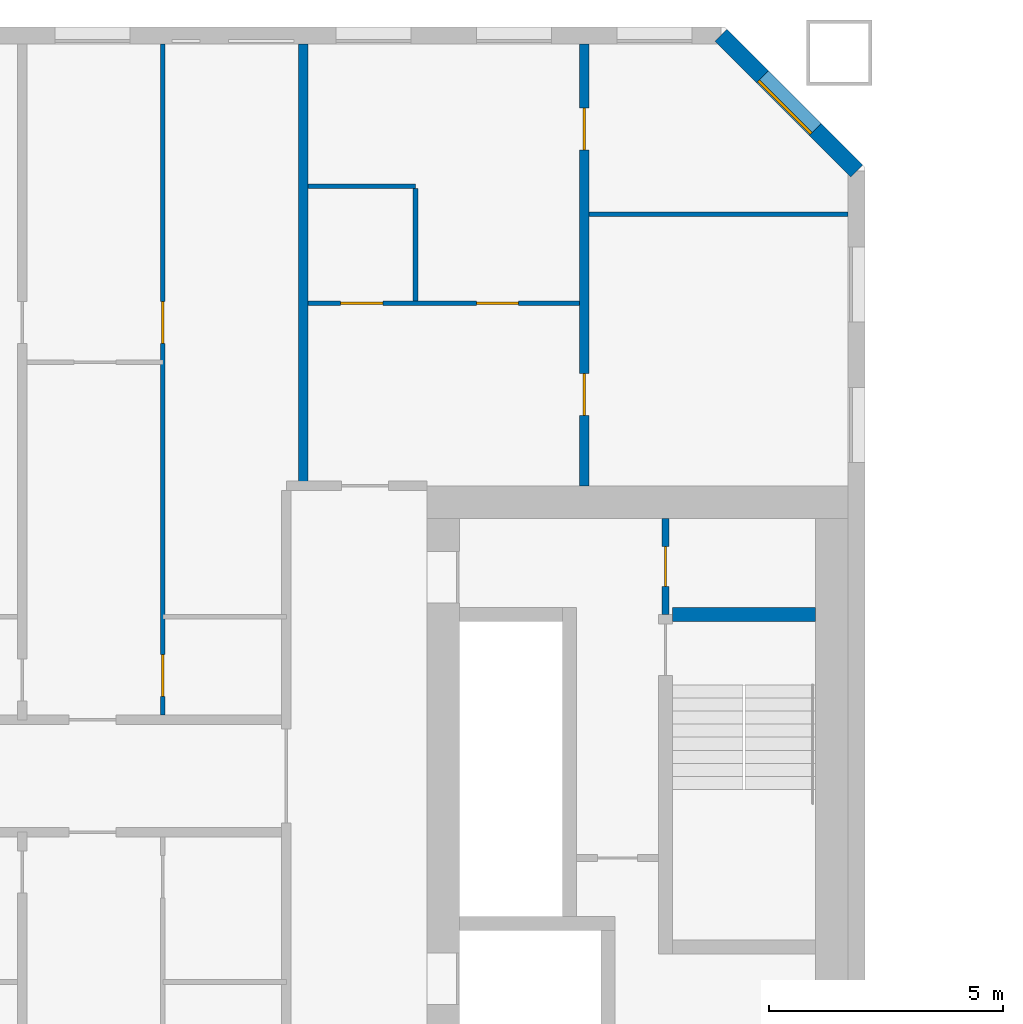
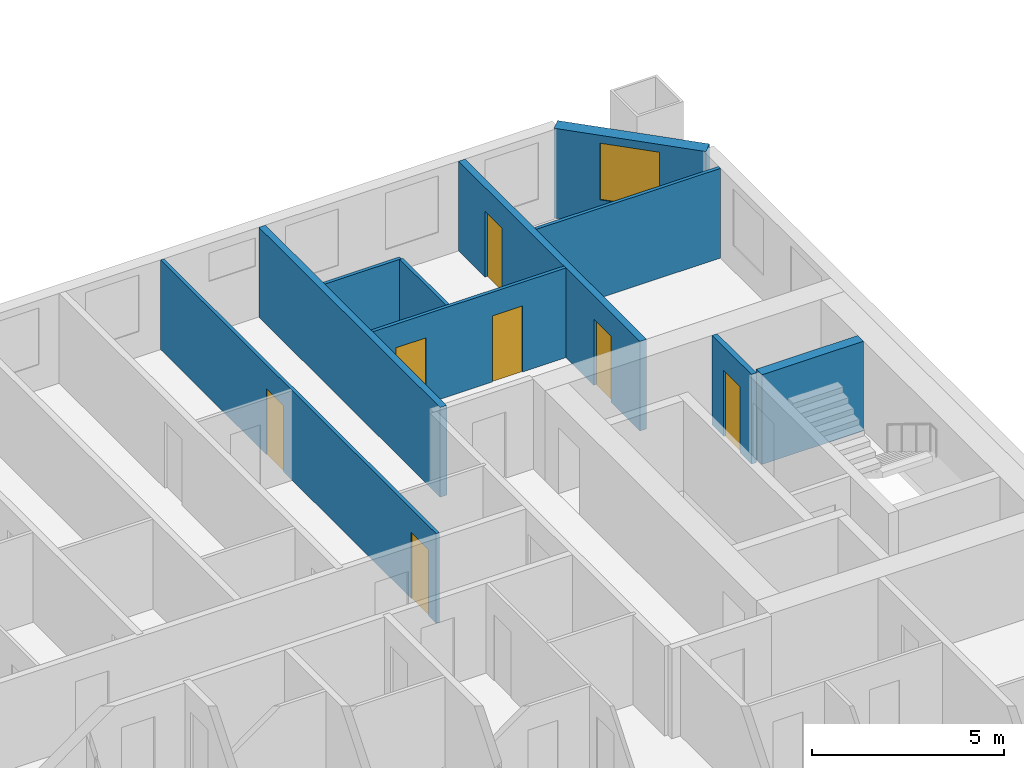
# One storey, part 8 of 17: 10 walls, 7 doors, 1 window, 8 openings.
"""IFC4 building model written with IfcOpenShell, lengths in metres."""

from ifc_helpers import new_model, si_unit, direction, frame, frame_2d, origin, place, context, subcontext, project, spatial, rectangle, extrude, material, layer, layer_set, type_object, element, fill, save


model = new_model("IFC4")

# Units and contexts
model_context = context("Model", 3, precision=1e-05, world=origin(), true_north=direction((0.0, 1.0)))
body_context = subcontext(model_context, "Body", "Model", "MODEL_VIEW")
ifc_project = project(units=[si_unit("LENGTHUNIT", "METRE"), si_unit("AREAUNIT", "SQUARE_METRE"), si_unit("VOLUMEUNIT", "CUBIC_METRE"), si_unit("PLANEANGLEUNIT", "RADIAN"), si_unit("MASSUNIT", "GRAM", prefix="KILO")], contexts=[model_context])

# Site, building, storey
site_placement = place(None, origin())
site = spatial("IfcSite", under=ifc_project, at=site_placement, CompositionType="ELEMENT")
building_placement = place(site_placement, origin())
building = spatial("IfcBuilding", under=site, at=building_placement, Name="Tuart Gate Housing", CompositionType="ELEMENT")
storey_placement = place(building_placement, frame((0.0, 0.0, 77.800048828125)))
storey = spatial("IfcBuildingStorey", under=building, at=storey_placement, Name="L21", CompositionType="ELEMENT", Elevation=77.800048828125)

# Wall, opening, window
ifc_material_1 = material(Name="Brick", Category="masonry")
ifc_layer_1 = layer(ifc_material_1, 0.360107421875)
ifc_layer_set_1 = layer_set([ifc_layer_1], Name="Brick pier and spandrel wall 360")
wall_type_1 = type_object("IfcWallType", Name="Brick pier and spandrel wall 360", PredefinedType="STANDARD", material=ifc_layer_set_1)
wall_1_placement = place(storey_placement, frame((75.820068359375, 82.92529296875, 0.0), z_axis=(0.0, 0.0, 1.0), x_axis=(-0.707106781187, 0.707106781187, 0.0)))
wall_1 = element("IfcWall", 1, at=wall_1_placement, inside=storey, type_object=wall_type_1, Name="External wall A-NE L21", PredefinedType="STANDARD", context=body_context, shape_type="SweptSolid", body=[
    extrude(rectangle(XDim=4.09375, YDim=0.360107421875, at=frame_2d((2.046875, 0.0))), origin(), (0.0, 0.0, 1.0), 2.849853515625),
])
opening_1_placement = place(wall_1_placement, frame((1.2470703125, 0.0, 0.800048828125)))
opening_1 = element("IfcOpeningElement", 2, at=opening_1_placement, cuts=wall_1, Name="Opening W1", PredefinedType="OPENING", context=body_context, shape_type="SweptSolid", body=[
    extrude(rectangle(XDim=1.60009765625, YDim=1.800048828125, at=frame_2d((0.800048828125, 0.89990234375))), frame((0.0, 0.18994140625, 0.0), z_axis=(0.0, -1.0, 0.0), x_axis=(1.0, 0.0, 0.0)), (0.0, 0.0, 1.0), 0.380126953125),
])
ifc_material_2 = material(Name="Aluminium frame with clear glass", Category="aluminium")
window_type = type_object("IfcWindowType", Name="Punched window 1600 x 1800", PartitioningType="SINGLE_PANEL", PredefinedType="WINDOW", material=ifc_material_2)
window_placement = place(opening_1_placement, origin())
window = element("IfcWindow", 3, at=window_placement, inside=storey, type_object=window_type, Name="Window W1", OverallHeight=1.800048828125, OverallWidth=1.60009765625, PartitioningType="SINGLE_PANEL", PredefinedType="WINDOW", context=body_context, shape_type="SweptSolid", body=[
    extrude(rectangle(XDim=1.60009765625, YDim=1.800048828125, at=frame_2d((0.800048828125, 0.89990234375))), frame((0.0, 0.150146484375, 0.0), z_axis=(0.0, -1.0, 0.0), x_axis=(1.0, 0.0, 0.0)), (0.0, 0.0, 1.0), 0.06005859375),
])
fill(opening_1, window)

# Wall, opening, door
ifc_material_3 = material(Name="Plasterboard partition")
ifc_layer_2 = layer(ifc_material_3, 0.14990234375)
ifc_layer_set_2 = layer_set([ifc_layer_2], Name="Core partition 150")
wall_type_2 = type_object("IfcWallType", Name="Core partition 150", PredefinedType="PARTITIONING", material=ifc_layer_set_2)
wall_2_placement = place(storey_placement, frame((71.739990234375, 73.449951171875, 0.0), z_axis=(0.0, 0.0, 1.0), x_axis=(0.0, 1.0, 0.0)))
wall_2 = element("IfcWall", 4, at=wall_2_placement, inside=storey, type_object=wall_type_2, Name="Core partition AG.9", PredefinedType="PARTITIONING", context=body_context, shape_type="SweptSolid", body=[
    extrude(rectangle(XDim=2.050048828125, YDim=0.14990234375, at=frame_2d((1.02490234375, 0.0))), origin(), (0.0, 0.0, 1.0), 2.849853515625),
])
opening_2_placement = place(wall_2_placement, frame((0.60009765625, 0.0, 0.0)))
opening_2 = element("IfcOpeningElement", 5, at=opening_2_placement, cuts=wall_2, Name="Opening D857", PredefinedType="OPENING", context=body_context, shape_type="SweptSolid", body=[
    extrude(rectangle(XDim=0.85009765625, YDim=2.10009765625, at=frame_2d((0.425048828125, 1.050048828125))), frame((0.0, 0.0849609375, 0.0), z_axis=(0.0, -1.0, 0.0), x_axis=(1.0, 0.0, 0.0)), (0.0, 0.0, 1.0), 0.169921875),
])
ifc_material_4 = material(Name="Steel fire door", Category="steel")
door_type_1 = type_object("IfcDoorType", Name="Service door 850 x 2100 RH", OperationType="SINGLE_SWING_RIGHT", PredefinedType="DOOR", material=ifc_material_4)
door_1_placement = place(opening_2_placement, frame((0.85009765625, 0.0, 0.0), z_axis=(0.0, 0.0, 1.0), x_axis=(-1.0, 0.0, 0.0)))
door_1 = element("IfcDoor", 6, at=door_1_placement, inside=storey, type_object=door_type_1, Name="Service room door AG.ST", OperationType="SINGLE_SWING_RIGHT", OverallHeight=2.10009765625, OverallWidth=0.85009765625, PredefinedType="DOOR", context=body_context, shape_type="SweptSolid", body=[
    extrude(rectangle(XDim=0.85009765625, YDim=2.10009765625, at=frame_2d((0.425048828125, 1.050048828125))), frame((0.0, 0.025146484375, 0.0), z_axis=(0.0, -1.0, 0.0), x_axis=(1.0, 0.0, 0.0)), (0.0, 0.0, 1.0), 0.050048828125),
])
fill(opening_2, door_1)

# Wall
ifc_material_5 = material(Name="Concrete C50", Category="concrete")
ifc_layer_3 = layer(ifc_material_5, 0.300048828125)
ifc_layer_set_3 = layer_set([ifc_layer_3], Name="Core wall 300 C50")
wall_type_3 = type_object("IfcWallType", Name="Core wall 300 C50", PredefinedType="SHEAR", material=ifc_layer_set_3)
wall_3_placement = place(storey_placement, frame((71.889892578125, 73.449951171875, 0.0), z_axis=(0.0, 0.0, 1.0), x_axis=(1.0, 0.0, 0.0)))
element("IfcWall", 7, at=wall_3_placement, inside=storey, type_object=wall_type_3, Name="Core wall AG.5", PredefinedType="SHEAR", context=body_context, shape_type="SweptSolid", body=[
    extrude(rectangle(XDim=3.050048828125, YDim=0.300048828125, at=frame_2d((1.52490234375, 0.0))), origin(), (0.0, 0.0, 1.0), 2.849853515625),
])

# Wall, openings, doors
ifc_material_6 = material(Name="Gypsum board on steel studs", Category="steel")
ifc_layer_4 = layer(ifc_material_6, 0.10009765625)
ifc_layer_set_4 = layer_set([ifc_layer_4], Name="Partition 100")
wall_type_4 = type_object("IfcWallType", Name="Partition 100", PredefinedType="PARTITIONING", material=ifc_layer_set_4)
wall_4_placement = place(storey_placement, frame((64.10009765625, 80.10009765625, 0.0), z_axis=(0.0, 0.0, 1.0), x_axis=(1.0, 0.0, 0.0)))
wall_4 = element("IfcWall", 8, at=wall_4_placement, inside=storey, type_object=wall_type_4, Name="Partition 100", PredefinedType="PARTITIONING", context=body_context, shape_type="SweptSolid", body=[
    extrude(rectangle(XDim=5.7998046875, YDim=0.10009765625, at=frame_2d((2.89990234375, 0.0))), origin(), (0.0, 0.0, 1.0), 2.849853515625),
])
opening_3_placement = place(wall_4_placement, frame((3.60009765625, 0.0, 0.0)))
opening_3 = element("IfcOpeningElement", 9, at=opening_3_placement, cuts=wall_4, Name="Opening D841", PredefinedType="OPENING", context=body_context, shape_type="SweptSolid", body=[
    extrude(rectangle(XDim=0.89990234375, YDim=2.10009765625, at=frame_2d((0.449951171875, 1.050048828125))), frame((0.0, 0.06005859375, 0.0), z_axis=(0.0, -1.0, 0.0), x_axis=(1.0, 0.0, 0.0)), (0.0, 0.0, 1.0), 0.1201171875),
])
opening_4_placement = place(wall_4_placement, frame((0.699951171875, 0.0, 0.0)))
opening_4 = element("IfcOpeningElement", 10, at=opening_4_placement, cuts=wall_4, Name="Opening D840", PredefinedType="OPENING", context=body_context, shape_type="SweptSolid", body=[
    extrude(rectangle(XDim=0.89990234375, YDim=2.10009765625, at=frame_2d((0.449951171875, 1.050048828125))), frame((0.0, 0.06005859375, 0.0), z_axis=(0.0, -1.0, 0.0), x_axis=(1.0, 0.0, 0.0)), (0.0, 0.0, 1.0), 0.1201171875),
])
ifc_material_7 = material(Name="Timber door leaf in steel frame", Category="steel")
door_type_2 = type_object("IfcDoorType", Name="Bathroom door 900 RH", OperationType="SINGLE_SWING_RIGHT", PredefinedType="DOOR", material=ifc_material_7)
door_2_placement = place(opening_4_placement, origin())
door_2 = element("IfcDoor", 11, at=door_2_placement, inside=storey, type_object=door_type_2, Name="Bathroom door", OperationType="SINGLE_SWING_RIGHT", OverallHeight=2.10009765625, OverallWidth=0.89990234375, PredefinedType="DOOR", context=body_context, shape_type="SweptSolid", body=[
    extrude(rectangle(XDim=0.89990234375, YDim=2.10009765625, at=frame_2d((0.449951171875, 1.050048828125))), frame((0.0, 0.02490234375, 0.0), z_axis=(0.0, -1.0, 0.0), x_axis=(1.0, 0.0, 0.0)), (0.0, 0.0, 1.0), 0.050048828125),
])
fill(opening_4, door_2)
ifc_material_8 = material(Name="Timber door leaf in steel frame", Category="steel")
door_type_3 = type_object("IfcDoorType", Name="Internal door 900", OperationType="SINGLE_SWING_LEFT", PredefinedType="DOOR", material=ifc_material_8)
door_3_placement = place(opening_3_placement, frame((0.89990234375, 0.0, 0.0), z_axis=(0.0, 0.0, 1.0), x_axis=(-1.0, 0.0, 0.0)))
door_3 = element("IfcDoor", 12, at=door_3_placement, inside=storey, type_object=door_type_3, Name="Internal door", OperationType="SINGLE_SWING_LEFT", OverallHeight=2.10009765625, OverallWidth=0.89990234375, PredefinedType="DOOR", context=body_context, shape_type="SweptSolid", body=[
    extrude(rectangle(XDim=0.89990234375, YDim=2.10009765625, at=frame_2d((0.449951171875, 1.050048828125))), frame((0.0, 0.025146484375, 0.0), z_axis=(0.0, -1.0, 0.0), x_axis=(1.0, 0.0, 0.0)), (0.0, 0.0, 1.0), 0.050048828125),
])
fill(opening_3, door_3)

# Walls
wall_5_placement = place(storey_placement, frame((70.10009765625, 82.0, 0.0), z_axis=(0.0, 0.0, 1.0), x_axis=(1.0, 0.0, 0.0)))
element("IfcWall", 13, at=wall_5_placement, inside=storey, type_object=wall_type_4, Name="Partition 100", PredefinedType="PARTITIONING", context=body_context, shape_type="SweptSolid", body=[
    extrude(rectangle(XDim=5.539794921875, YDim=0.10009765625, at=frame_2d((2.77001953125, 0.0))), origin(), (0.0, 0.0, 1.0), 2.849853515625),
])
wall_6_placement = place(storey_placement, frame((64.10009765625, 82.60009765625, 0.0), z_axis=(0.0, 0.0, 1.0), x_axis=(1.0, 0.0, 0.0)))
element("IfcWall", 14, at=wall_6_placement, inside=storey, type_object=wall_type_4, Name="Partition 100", PredefinedType="PARTITIONING", context=body_context, shape_type="SweptSolid", body=[
    extrude(rectangle(XDim=2.2998046875, YDim=0.10009765625, at=frame_2d((1.14990234375, 0.0))), origin(), (0.0, 0.0, 1.0), 2.849853515625),
])

# Wall, openings, doors
wall_7_placement = place(storey_placement, frame((61.0, 71.300048828125, 0.0), z_axis=(0.0, 0.0, 1.0), x_axis=(0.0, 1.0, 0.0)))
wall_7 = element("IfcWall", 15, at=wall_7_placement, inside=storey, type_object=wall_type_4, Name="Partition 100", PredefinedType="PARTITIONING", context=body_context, shape_type="SweptSolid", body=[
    extrude(rectangle(XDim=14.33984375, YDim=0.10009765625, at=frame_2d((7.169921875, 0.0))), origin(), (0.0, 0.0, 1.0), 2.849853515625),
])
opening_5_placement = place(wall_7_placement, frame((7.93994140625, 0.0, 0.0)))
opening_5 = element("IfcOpeningElement", 16, at=opening_5_placement, cuts=wall_7, Name="Opening D848", PredefinedType="OPENING", context=body_context, shape_type="SweptSolid", body=[
    extrude(rectangle(XDim=0.89990234375, YDim=2.10009765625, at=frame_2d((0.449951171875, 1.050048828125))), frame((0.0, 0.06005859375, 0.0), z_axis=(0.0, -1.0, 0.0), x_axis=(1.0, 0.0, 0.0)), (0.0, 0.0, 1.0), 0.1201171875),
])
opening_6_placement = place(wall_7_placement, frame((0.39990234375, 0.0, 0.0)))
opening_6 = element("IfcOpeningElement", 17, at=opening_6_placement, cuts=wall_7, Name="Opening D847", PredefinedType="OPENING", context=body_context, shape_type="SweptSolid", body=[
    extrude(rectangle(XDim=0.89990234375, YDim=2.10009765625, at=frame_2d((0.449951171875, 1.050048828125))), frame((0.0, 0.06005859375, 0.0), z_axis=(0.0, -1.0, 0.0), x_axis=(1.0, 0.0, 0.0)), (0.0, 0.0, 1.0), 0.1201171875),
])
door_4_placement = place(opening_6_placement, frame((0.89990234375, 0.0, 0.0), z_axis=(0.0, 0.0, 1.0), x_axis=(-1.0, 0.0, 0.0)))
door_4 = element("IfcDoor", 18, at=door_4_placement, inside=storey, type_object=door_type_2, Name="Bathroom door", OperationType="SINGLE_SWING_RIGHT", OverallHeight=2.10009765625, OverallWidth=0.89990234375, PredefinedType="DOOR", context=body_context, shape_type="SweptSolid", body=[
    extrude(rectangle(XDim=0.89990234375, YDim=2.10009765625, at=frame_2d((0.449951171875, 1.050048828125))), frame((0.0, 0.025146484375, 0.0), z_axis=(0.0, -1.0, 0.0), x_axis=(1.0, 0.0, 0.0)), (0.0, 0.0, 1.0), 0.050048828125),
])
fill(opening_6, door_4)
door_5_placement = place(opening_5_placement, frame((0.89990234375, 0.0, 0.0), z_axis=(0.0, 0.0, 1.0), x_axis=(-1.0, 0.0, 0.0)))
door_5 = element("IfcDoor", 19, at=door_5_placement, inside=storey, type_object=door_type_3, Name="Internal door", OperationType="SINGLE_SWING_LEFT", OverallHeight=2.10009765625, OverallWidth=0.89990234375, PredefinedType="DOOR", context=body_context, shape_type="SweptSolid", body=[
    extrude(rectangle(XDim=0.89990234375, YDim=2.10009765625, at=frame_2d((0.449951171875, 1.050048828125))), frame((0.0, 0.025146484375, 0.0), z_axis=(0.0, -1.0, 0.0), x_axis=(1.0, 0.0, 0.0)), (0.0, 0.0, 1.0), 0.050048828125),
])
fill(opening_5, door_5)

# Walls
wall_8_placement = place(storey_placement, frame((66.39990234375, 80.14990234375, 0.0), z_axis=(0.0, 0.0, 1.0), x_axis=(0.0, 1.0, 0.0)))
element("IfcWall", 20, at=wall_8_placement, inside=storey, type_object=wall_type_4, Name="Partition 100", PredefinedType="PARTITIONING", context=body_context, shape_type="SweptSolid", body=[
    extrude(rectangle(XDim=2.400146484375, YDim=0.10009765625, at=frame_2d((1.2001953125, 0.0))), origin(), (0.0, 0.0, 1.0), 2.849853515625),
])
ifc_material_9 = material(Name="Concrete C40", Category="concrete")
ifc_layer_5 = layer(ifc_material_9, 0.199951171875)
ifc_layer_set_5 = layer_set([ifc_layer_5], Name="Party wall concrete C40 200")
wall_type_5 = type_object("IfcWallType", Name="Party wall concrete C40 200", PredefinedType="SOLIDWALL", material=ifc_layer_set_5)
wall_9_placement = place(storey_placement, frame((64.0, 76.199951171875, 0.0), z_axis=(0.0, 0.0, 1.0), x_axis=(0.0, 1.0, 0.0)))
element("IfcWall", 21, at=wall_9_placement, inside=storey, type_object=wall_type_5, Name="Party wall concrete C40 200", PredefinedType="SOLIDWALL", context=body_context, shape_type="SweptSolid", body=[
    extrude(rectangle(XDim=9.43994140625, YDim=0.199951171875, at=frame_2d((4.719970703125, 0.0))), origin(), (0.0, 0.0, 1.0), 2.849853515625),
])

# Wall, openings, doors
wall_10_placement = place(storey_placement, frame((70.0, 76.199951171875, 0.0), z_axis=(0.0, 0.0, 1.0), x_axis=(0.0, 1.0, 0.0)))
wall_10 = element("IfcWall", 22, at=wall_10_placement, inside=storey, type_object=wall_type_5, Name="Party wall concrete C40 200", PredefinedType="SOLIDWALL", context=body_context, shape_type="SweptSolid", body=[
    extrude(rectangle(XDim=9.43994140625, YDim=0.199951171875, at=frame_2d((4.719970703125, 0.0))), origin(), (0.0, 0.0, 1.0), 2.849853515625),
])
opening_7_placement = place(wall_10_placement, frame((7.169921875, 0.0, 0.0)))
opening_7 = element("IfcOpeningElement", 23, at=opening_7_placement, cuts=wall_10, Name="Opening D838", PredefinedType="OPENING", context=body_context, shape_type="SweptSolid", body=[
    extrude(rectangle(XDim=0.89990234375, YDim=2.10009765625, at=frame_2d((0.449951171875, 1.050048828125))), frame((0.0, 0.10986328125, 0.0), z_axis=(0.0, -1.0, 0.0), x_axis=(1.0, 0.0, 0.0)), (0.0, 0.0, 1.0), 0.219970703125),
])
opening_8_placement = place(wall_10_placement, frame((1.5, 0.0, 0.0)))
opening_8 = element("IfcOpeningElement", 24, at=opening_8_placement, cuts=wall_10, Name="Opening D839", PredefinedType="OPENING", context=body_context, shape_type="SweptSolid", body=[
    extrude(rectangle(XDim=0.89990234375, YDim=2.10009765625, at=frame_2d((0.449951171875, 1.050048828125))), frame((0.0, 0.10986328125, 0.0), z_axis=(0.0, -1.0, 0.0), x_axis=(1.0, 0.0, 0.0)), (0.0, 0.0, 1.0), 0.219970703125),
])
ifc_material_10 = material(Name="Timber door leaf in steel frame", Category="steel")
door_type_4 = type_object("IfcDoorType", Name="Internal door 900 RH", OperationType="SINGLE_SWING_RIGHT", PredefinedType="DOOR", material=ifc_material_10)
door_6_placement = place(opening_7_placement, frame((0.89990234375, 0.0, 0.0), z_axis=(0.0, 0.0, 1.0), x_axis=(-1.0, 0.0, 0.0)))
door_6 = element("IfcDoor", 25, at=door_6_placement, inside=storey, type_object=door_type_4, Name="Internal door", OperationType="SINGLE_SWING_RIGHT", OverallHeight=2.10009765625, OverallWidth=0.89990234375, PredefinedType="DOOR", context=body_context, shape_type="SweptSolid", body=[
    extrude(rectangle(XDim=0.89990234375, YDim=2.10009765625, at=frame_2d((0.449951171875, 1.050048828125))), frame((0.0, 0.025146484375, 0.0), z_axis=(0.0, -1.0, 0.0), x_axis=(1.0, 0.0, 0.0)), (0.0, 0.0, 1.0), 0.050048828125),
])
fill(opening_7, door_6)
door_7_placement = place(opening_8_placement, frame((0.89990234375, 0.0, 0.0), z_axis=(0.0, 0.0, 1.0), x_axis=(-1.0, 0.0, 0.0)))
door_7 = element("IfcDoor", 26, at=door_7_placement, inside=storey, type_object=door_type_4, Name="Internal door", OperationType="SINGLE_SWING_RIGHT", OverallHeight=2.10009765625, OverallWidth=0.89990234375, PredefinedType="DOOR", context=body_context, shape_type="SweptSolid", body=[
    extrude(rectangle(XDim=0.89990234375, YDim=2.10009765625, at=frame_2d((0.449951171875, 1.050048828125))), frame((0.0, 0.025146484375, 0.0), z_axis=(0.0, -1.0, 0.0), x_axis=(1.0, 0.0, 0.0)), (0.0, 0.0, 1.0), 0.050048828125),
])
fill(opening_8, door_7)

save(model, "model.ifc")
